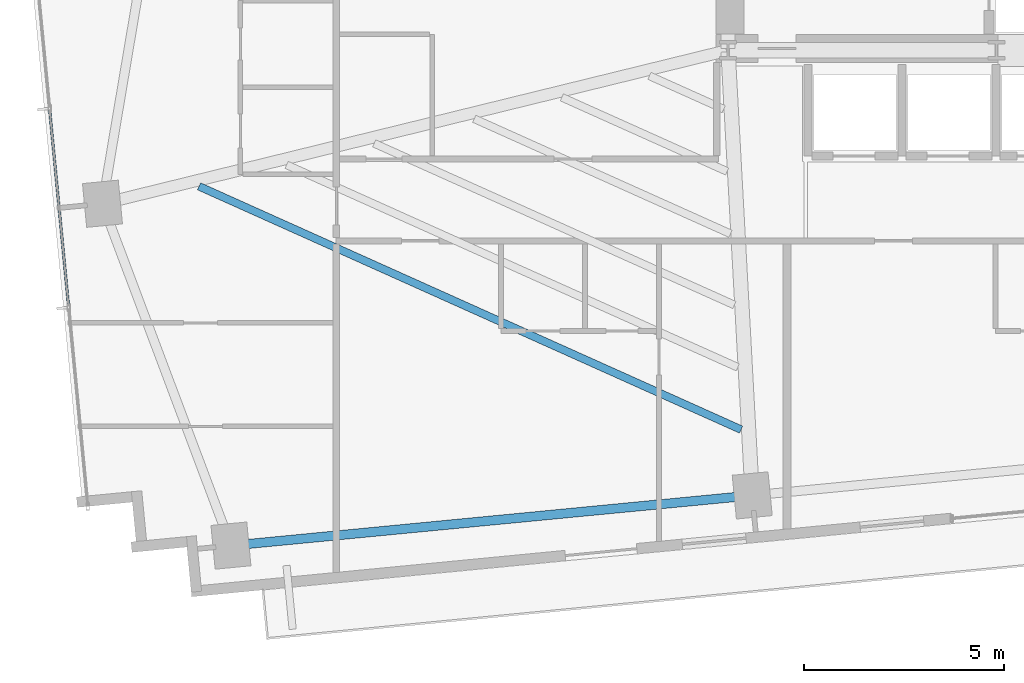
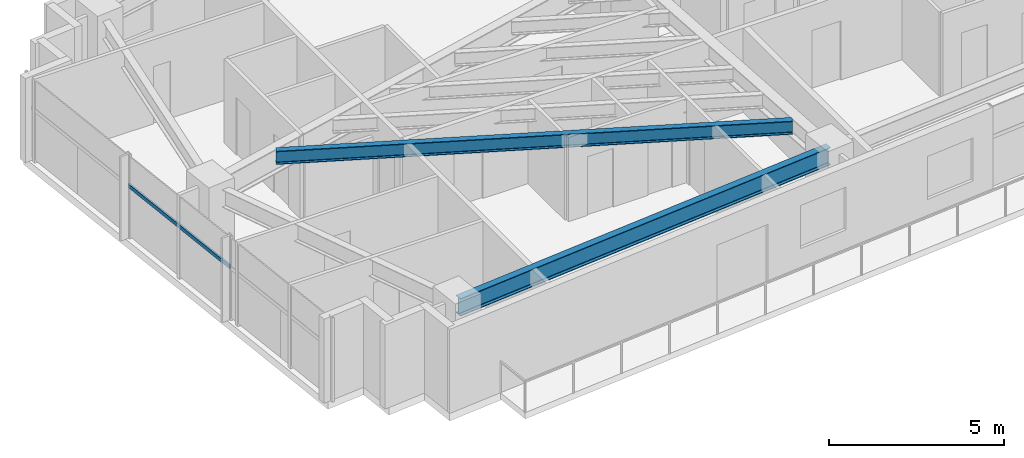
# One storey, part 3 of 27: 2 beams, 1 member, 1 element without a shape of its own.
"""IFC4 building model written with IfcOpenShell, lengths in metres."""

from ifc_helpers import new_model, si_unit, direction, frame, origin, origin_2d, place, context, subcontext, project, spatial, hollow_rectangle, i_section, extrude, source, transform, mapped, material, material_profile, profile_set, type_object, type_shapes, element, aggregate, save


model = new_model("IFC4")

# Units and contexts
model_context = context("Model", 3, precision=1e-05, world=origin(), true_north=direction((0.0, 1.0)))
body_context = subcontext(model_context, "Body", "Model", "MODEL_VIEW")
ifc_project = project(units=[si_unit("LENGTHUNIT", "METRE"), si_unit("AREAUNIT", "SQUARE_METRE"), si_unit("VOLUMEUNIT", "CUBIC_METRE"), si_unit("PLANEANGLEUNIT", "RADIAN"), si_unit("MASSUNIT", "GRAM", prefix="KILO")], contexts=[model_context])

# Site, building, storey
site_placement = place(None, origin())
site = spatial("IfcSite", under=ifc_project, at=site_placement, CompositionType="ELEMENT")
building_placement = place(site_placement, origin())
building = spatial("IfcBuilding", under=site, at=building_placement, Name="Astriad Promenade Condominiums", CompositionType="ELEMENT")
storey_placement = place(building_placement, frame((0.0, 0.0, 97.0)))
storey = spatial("IfcBuildingStorey", under=building, at=storey_placement, Name="L27", CompositionType="ELEMENT", Elevation=97.0)

# Beams
ifc_material_1 = material(Name="Steel ASTM A992 Grade 50", Category="steel")
ifc_material_profile_1 = material_profile(ifc_material_1, i_section(OverallWidth=0.22900390625, OverallDepth=0.612060546875, WebThickness=0.011962890625, FlangeThickness=0.01953125, FilletRadius=0.017822265625, at=origin_2d()), Name="W24X84")
ifc_profile_set_1 = profile_set([ifc_material_profile_1], Name="Steel ASTM A992 Grade 50")
beam_type_1 = type_object("IfcBeamType", Name="STEEL SPANDREL BEAM W24X84", PredefinedType="SPANDREL", material=ifc_profile_set_1)
shared_shape_1 = source(origin(), body_context, "Body", "SweptSolid", [
    extrude(i_section(OverallWidth=0.22900390625, OverallDepth=0.612060546875, WebThickness=0.011962890625, FlangeThickness=0.01953125, FilletRadius=0.017822265625, at=origin_2d()), origin(), (0.0, 0.0, 1.0), 13.02001953125),
])
type_shapes(beam_type_1, [shared_shape_1])
beam_1_placement = place(storey_placement, frame((14.005859375, 5.01318359375, 2.6337890625), z_axis=(0.995395138946, 0.095856754395, 0.0), x_axis=(-0.095856754395, 0.995395138946, 0.0)))
element("IfcBeam", 1, at=beam_1_placement, inside=storey, type_object=beam_type_1, Name="Perimeter Spandrel Beam SP-S1-L27", PredefinedType="SPANDREL", context=body_context, shape_type="MappedRepresentation", body=[
    mapped(shared_shape_1, transform((0.0, 0.0, 0.0), scale=1.0)),
])
ifc_material_profile_2 = material_profile(ifc_material_1, i_section(OverallWidth=0.19287109375, OverallDepth=0.466064453125, WebThickness=0.011474609375, FlangeThickness=0.01904296875, FilletRadius=0.01513671875, at=origin_2d()), Name="W18X65")
ifc_profile_set_2 = profile_set([ifc_material_profile_2], Name="Steel ASTM A992 Grade 50")
beam_type_2 = type_object("IfcBeamType", Name="STEEL FLOOR JOIST W18X65", PredefinedType="JOIST", material=ifc_profile_set_2)
shared_shape_2 = source(origin(), body_context, "Body", "SweptSolid", [
    extrude(i_section(OverallWidth=0.19287109375, OverallDepth=0.466064453125, WebThickness=0.011474609375, FlangeThickness=0.01904296875, FilletRadius=0.01513671875, at=origin_2d()), origin(), (0.0, 0.0, 1.0), 14.863037109375),
])
type_shapes(beam_type_2, [shared_shape_2])
beam_2_placement = place(storey_placement, frame((13.168212890625, 13.996826171875, 2.706787109375), z_axis=(0.912311114602, -0.409497777984, 0.0), x_axis=(0.409497777984, 0.912311114602, 0.0)))
element("IfcBeam", 2, at=beam_2_placement, inside=storey, type_object=beam_type_2, Name="Secondary Composite Floor Joist JW1-1-L27", PredefinedType="JOIST", context=body_context, shape_type="MappedRepresentation", body=[
    mapped(shared_shape_2, transform((0.0, 0.0, 0.0), scale=1.0)),
])

# Curtain wall, member
ifc_material_2 = material(Name="Anodised aluminium Black Dark Glass Unitised", Category="aluminium")
curtain_wall_type = type_object("IfcCurtainWallType", Name="CW-B2-DARK", PredefinedType="USERDEFINED", material=ifc_material_2)
curtain_wall_placement = place(storey_placement, origin())
curtain_wall = element("IfcCurtainWall", 3, at=curtain_wall_placement, inside=storey, type_object=curtain_wall_type, Name="CW-L27-W", ObjectType="UNITISED_CURTAIN_WALL", PredefinedType="USERDEFINED")
ifc_material_3 = material(Name="Anodised aluminium 6063-T6 Black", Category="aluminium")
ifc_material_profile_3 = material_profile(ifc_material_3, hollow_rectangle(XDim=0.06494140625, YDim=0.1298828125, WallThickness=0.00390625, at=origin_2d()), Name="ALU-TRN-65X130")
ifc_profile_set_3 = profile_set([ifc_material_profile_3], Name="Anodised aluminium 6063-T6 Black")
member_type = type_object("IfcMemberType", Name="TRN-ALU-TRN-65X130", PredefinedType="USERDEFINED", material=ifc_profile_set_3)
shared_shape_3 = source(origin(), body_context, "Body", "SweptSolid", [
    extrude(hollow_rectangle(XDim=0.06494140625, YDim=0.1298828125, WallThickness=0.00390625, at=origin_2d()), origin(), (0.0, 0.0, 1.0), 5.0),
])
type_shapes(member_type, [shared_shape_3])
member_placement = place(storey_placement, frame((9.90625, 10.9677734375, 1.82275390625), z_axis=(-0.095848242264, 0.995395958629, 0.0), x_axis=(-0.995395958629, -0.095848242264, 0.0)))
member = element("IfcMember", 4, at=member_placement, type_object=member_type, Name="CW-L27-W-TRN-01-0", ObjectType="TRANSOM", PredefinedType="USERDEFINED", context=body_context, shape_type="MappedRepresentation", body=[
    mapped(shared_shape_3, transform((0.0, 0.0, 0.0), scale=1.0)),
])
aggregate(curtain_wall, [member])

save(model, "model.ifc")
